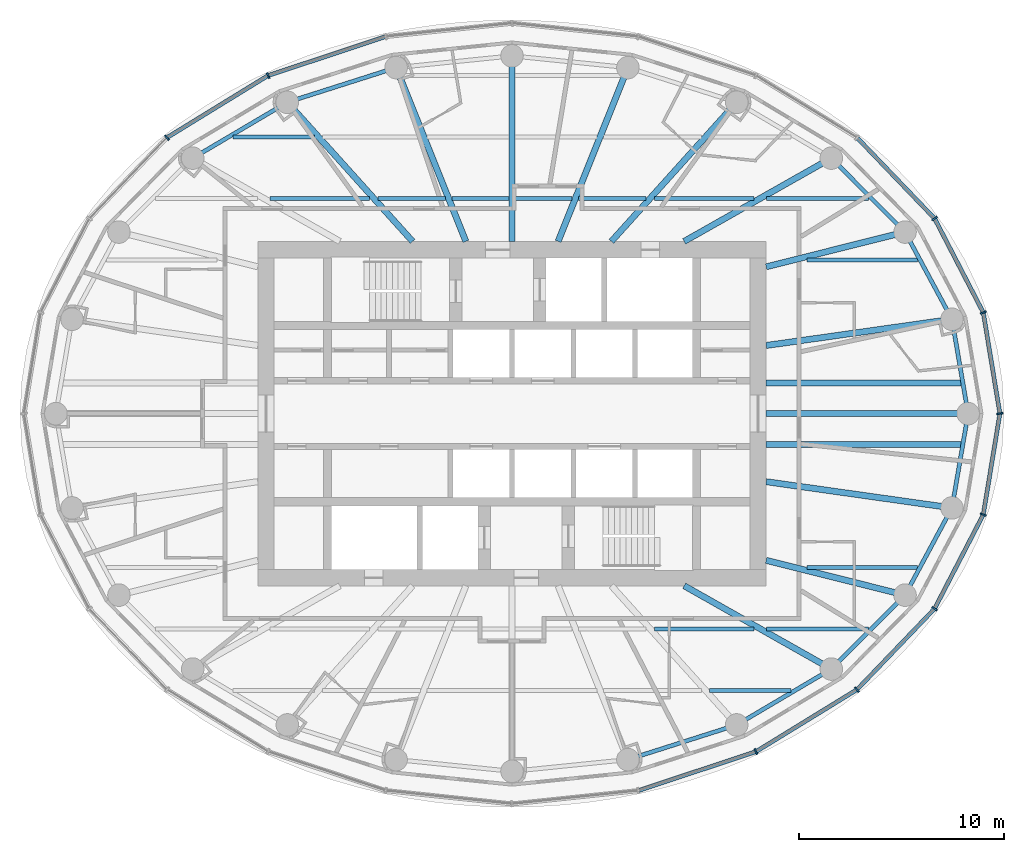
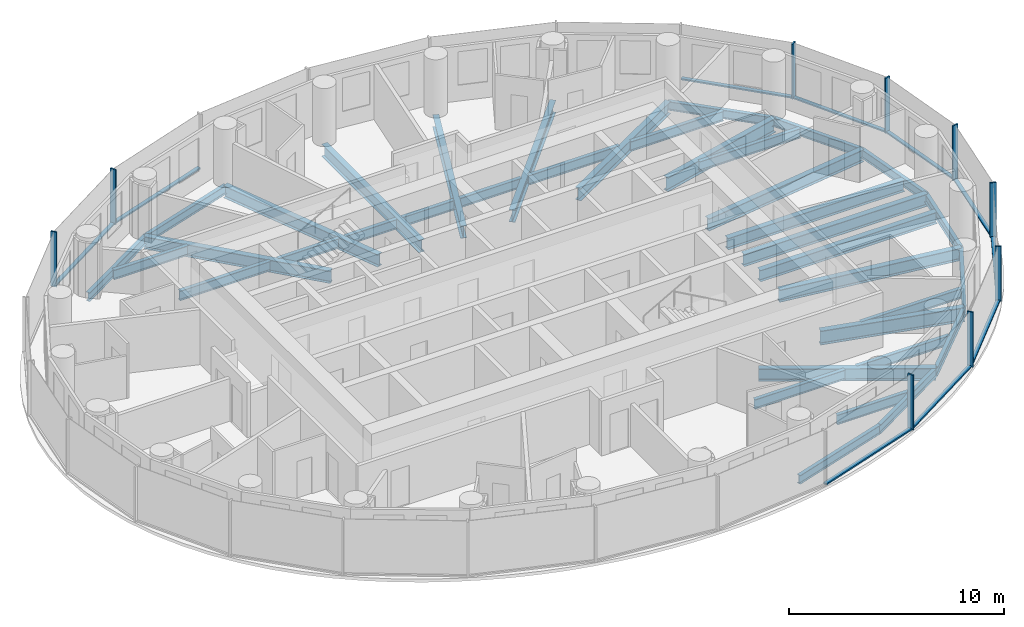
# One storey, part 3 of 13: 37 beams, 19 members, 3 elements without a shape of their own.
"""IFC4 building model written with IfcOpenShell, lengths in metres."""

from ifc_helpers import new_model, si_unit, direction, frame, origin, origin_2d, place, context, subcontext, project, spatial, rectangle, i_section, extrude, material, material_profile, profile_set, type_object, element, aggregate, save


model = new_model("IFC4")

# Units and contexts
model_context = context("Model", 3, precision=1e-05, world=origin(), true_north=direction((0.0, 1.0)))
body_context = subcontext(model_context, "Body", "Model", "MODEL_VIEW")
ifc_project = project(units=[si_unit("LENGTHUNIT", "METRE"), si_unit("AREAUNIT", "SQUARE_METRE"), si_unit("VOLUMEUNIT", "CUBIC_METRE"), si_unit("PLANEANGLEUNIT", "RADIAN"), si_unit("MASSUNIT", "GRAM", prefix="KILO")], contexts=[model_context])

# Site, building, storey
site_placement = place(None, origin())
site = spatial("IfcSite", under=ifc_project, at=site_placement, CompositionType="ELEMENT")
building_placement = place(site_placement, origin())
building = spatial("IfcBuilding", under=site, at=building_placement, Name="Hankou Lantern Tower", CompositionType="ELEMENT")
storey_placement = place(building_placement, frame((0.0, 0.0, 156.60009765625)))
storey = spatial("IfcBuildingStorey", under=building, at=storey_placement, Name="L41", CompositionType="ELEMENT", Elevation=156.60009765625)

# Beams
ifc_material_1 = material(Name="Steel Q355B", Category="steel")
ifc_material_profile_1 = material_profile(ifc_material_1, i_section(OverallWidth=0.199951171875, OverallDepth=0.5, WebThickness=0.010009765625, FlangeThickness=0.01611328125, FilletRadius=0.012939453125, at=origin_2d()), Name="HN500x200x10x16")
ifc_profile_set_1 = profile_set([ifc_material_profile_1], Name="Steel Q355B")
beam_type_1 = type_object("IfcBeamType", Name="EB5 RING BEAM HN500x200x10x16", PredefinedType="SPANDREL", material=ifc_profile_set_1)
beam_1_placement = place(storey_placement, frame((22.25, 0.0, -0.43017578125), z_axis=(-0.168680718946, 0.985670743735, 0.0), x_axis=(-0.985670743735, -0.168680718946, 0.0)))
element("IfcBeam", 1, at=beam_1_placement, inside=storey, type_object=beam_type_1, Name="Ring beam R01-R02 L41", PredefinedType="SPANDREL", context=body_context, shape_type="SweptSolid", body=[
    extrude(i_section(OverallWidth=0.199951171875, OverallDepth=0.5, WebThickness=0.010009765625, FlangeThickness=0.01611328125, FilletRadius=0.012939453125, at=origin_2d()), origin(), (0.0, 0.0, 1.0), 4.667724609375),
])
beam_2_placement = place(storey_placement, frame((21.462646484375, 4.600830078125, -0.43017578125), z_axis=(-0.474051612334, 0.880497057828, 0.0), x_axis=(-0.880497057828, -0.474051612334, 0.0)))
element("IfcBeam", 2, at=beam_2_placement, inside=storey, type_object=beam_type_1, Name="Ring beam R02-R03 L41", PredefinedType="SPANDREL", context=body_context, shape_type="SweptSolid", body=[
    extrude(i_section(OverallWidth=0.199951171875, OverallDepth=0.5, WebThickness=0.010009765625, FlangeThickness=0.01611328125, FilletRadius=0.012939453125, at=origin_2d()), origin(), (0.0, 0.0, 1.0), 4.831787109375),
])
beam_3_placement = place(storey_placement, frame((19.172119140625, 8.855224609375, -0.43017578125), z_axis=(-0.706147278092, 0.708064984054, 0.0), x_axis=(-0.708064984054, -0.706147278092, 0.0)))
element("IfcBeam", 3, at=beam_3_placement, inside=storey, type_object=beam_type_1, Name="Ring beam R03-R04 L41", PredefinedType="SPANDREL", context=body_context, shape_type="SweptSolid", body=[
    extrude(i_section(OverallWidth=0.199951171875, OverallDepth=0.5, WebThickness=0.010009765625, FlangeThickness=0.01611328125, FilletRadius=0.012939453125, at=origin_2d()), origin(), (0.0, 0.0, 1.0), 5.09228515625),
])
beam_4_placement = place(storey_placement, frame((-5.65283203125, 16.87744140625, -0.43017578125), z_axis=(-0.952790404271, -0.30362879562, 0.0), x_axis=(0.30362879562, -0.952790404271, 0.0)))
element("IfcBeam", 4, at=beam_4_placement, inside=storey, type_object=beam_type_1, Name="Ring beam R08-R09 L41", PredefinedType="SPANDREL", context=body_context, shape_type="SweptSolid", body=[
    extrude(i_section(OverallWidth=0.199951171875, OverallDepth=0.5, WebThickness=0.010009765625, FlangeThickness=0.01611328125, FilletRadius=0.012939453125, at=origin_2d()), origin(), (0.0, 0.0, 1.0), 5.56982421875),
])
beam_5_placement = place(storey_placement, frame((-10.959716796875, 15.186279296875, -0.43017578125), z_axis=(-0.861135888339, -0.508374843806, 0.0), x_axis=(0.508374843806, -0.861135888339, 0.0)))
element("IfcBeam", 5, at=beam_5_placement, inside=storey, type_object=beam_type_1, Name="Ring beam R09-R10 L41", PredefinedType="SPANDREL", context=body_context, shape_type="SweptSolid", body=[
    extrude(i_section(OverallWidth=0.199951171875, OverallDepth=0.5, WebThickness=0.010009765625, FlangeThickness=0.01611328125, FilletRadius=0.012939453125, at=origin_2d()), origin(), (0.0, 0.0, 1.0), 5.36083984375),
])
beam_6_placement = place(storey_placement, frame((5.65283203125, -16.87744140625, -0.43017578125), z_axis=(0.952790404271, 0.30362879562, 0.0), x_axis=(-0.30362879562, 0.952790404271, 0.0)))
element("IfcBeam", 6, at=beam_6_placement, inside=storey, type_object=beam_type_1, Name="Ring beam R20-R21 L41", PredefinedType="SPANDREL", context=body_context, shape_type="SweptSolid", body=[
    extrude(i_section(OverallWidth=0.199951171875, OverallDepth=0.5, WebThickness=0.010009765625, FlangeThickness=0.01611328125, FilletRadius=0.012939453125, at=origin_2d()), origin(), (0.0, 0.0, 1.0), 5.56982421875),
])
beam_7_placement = place(storey_placement, frame((10.959716796875, -15.186279296875, -0.43017578125), z_axis=(0.861135888339, 0.508374843806, 0.0), x_axis=(-0.508374843806, 0.861135888339, 0.0)))
element("IfcBeam", 7, at=beam_7_placement, inside=storey, type_object=beam_type_1, Name="Ring beam R21-R22 L41", PredefinedType="SPANDREL", context=body_context, shape_type="SweptSolid", body=[
    extrude(i_section(OverallWidth=0.199951171875, OverallDepth=0.5, WebThickness=0.010009765625, FlangeThickness=0.01611328125, FilletRadius=0.012939453125, at=origin_2d()), origin(), (0.0, 0.0, 1.0), 5.36083984375),
])
beam_8_placement = place(storey_placement, frame((15.576171875, -12.4609375, -0.43017578125), z_axis=(0.706147278092, 0.708064984054, 0.0), x_axis=(-0.708064984054, 0.706147278092, 0.0)))
element("IfcBeam", 8, at=beam_8_placement, inside=storey, type_object=beam_type_1, Name="Ring beam R22-R23 L41", PredefinedType="SPANDREL", context=body_context, shape_type="SweptSolid", body=[
    extrude(i_section(OverallWidth=0.199951171875, OverallDepth=0.5, WebThickness=0.010009765625, FlangeThickness=0.01611328125, FilletRadius=0.012939453125, at=origin_2d()), origin(), (0.0, 0.0, 1.0), 5.09228515625),
])
beam_9_placement = place(storey_placement, frame((19.172119140625, -8.855224609375, -0.43017578125), z_axis=(0.474051612334, 0.880497057828, 0.0), x_axis=(-0.880497057828, 0.474051612334, 0.0)))
element("IfcBeam", 9, at=beam_9_placement, inside=storey, type_object=beam_type_1, Name="Ring beam R23-R24 L41", PredefinedType="SPANDREL", context=body_context, shape_type="SweptSolid", body=[
    extrude(i_section(OverallWidth=0.199951171875, OverallDepth=0.5, WebThickness=0.010009765625, FlangeThickness=0.01611328125, FilletRadius=0.012939453125, at=origin_2d()), origin(), (0.0, 0.0, 1.0), 4.831787109375),
])
beam_10_placement = place(storey_placement, frame((21.462646484375, -4.600830078125, -0.43017578125), z_axis=(0.168680718946, 0.985670743735, 0.0), x_axis=(-0.985670743735, 0.168680718946, 0.0)))
element("IfcBeam", 10, at=beam_10_placement, inside=storey, type_object=beam_type_1, Name="Ring beam R24-R01 L41", PredefinedType="SPANDREL", context=body_context, shape_type="SweptSolid", body=[
    extrude(i_section(OverallWidth=0.199951171875, OverallDepth=0.5, WebThickness=0.010009765625, FlangeThickness=0.01611328125, FilletRadius=0.012939453125, at=origin_2d()), origin(), (0.0, 0.0, 1.0), 4.667724609375),
])

# Curtain wall, members
ifc_material_2 = material(Name="Glass, dark grey tinted laminated", Category="glass")
curtain_wall_type = type_object("IfcCurtainWallType", Name="CWC OUTER SKIN HIGH-RISE", PredefinedType="USERDEFINED", material=ifc_material_2)
curtain_wall_1_placement = place(storey_placement, origin())
curtain_wall_1 = element("IfcCurtainWall", 11, at=curtain_wall_1_placement, inside=storey, type_object=curtain_wall_type, Name="CWC L41 OS1", ObjectType="OUTER SKIN HIGH-RISE", PredefinedType="USERDEFINED")
ifc_material_3 = material(Name="Aluminium, black anodised", Category="aluminium")
ifc_material_profile_2 = material_profile(ifc_material_3, rectangle(XDim=0.080078125, YDim=0.300048828125, at=origin_2d()), Name="MU1 80X300")
ifc_profile_set_2 = profile_set([ifc_material_profile_2], Name="Aluminium, black anodised")
member_type_1 = type_object("IfcMemberType", Name="MU1 OUTER SKIN MULLION 80X300", PredefinedType="MULLION", material=ifc_profile_set_2)
member_1_placement = place(storey_placement, frame((23.800048828125, 0.0, 0.0), z_axis=(0.0, 0.0, 1.0), x_axis=(-0.162381515188, 0.986728049427, 0.0)))
member_1 = element("IfcMember", 12, at=member_1_placement, type_object=member_type_1, Name="CWC mullion 1", PredefinedType="MULLION", context=body_context, shape_type="SweptSolid", body=[
    extrude(rectangle(XDim=0.080078125, YDim=0.300048828125, at=origin_2d()), origin(), (0.0, 0.0, 1.0), 3.119873046875),
])
member_2_placement = place(storey_placement, frame((22.989013671875, 4.927978515625, 0.0), z_axis=(0.0, 0.0, 1.0), x_axis=(-0.317595577365, 0.94822626479, 0.0)))
member_2 = element("IfcMember", 13, at=member_2_placement, type_object=member_type_1, Name="CWC mullion 2", PredefinedType="MULLION", context=body_context, shape_type="SweptSolid", body=[
    extrude(rectangle(XDim=0.080078125, YDim=0.300048828125, at=origin_2d()), origin(), (0.0, 0.0, 1.0), 3.119873046875),
])
member_3_placement = place(storey_placement, frame((20.611328125, 9.52001953125, 0.0), z_axis=(0.0, 0.0, 1.0), x_axis=(-0.585205735974, 0.810884854084, 0.0)))
member_3 = element("IfcMember", 14, at=member_3_placement, type_object=member_type_1, Name="CWC mullion 3", PredefinedType="MULLION", context=body_context, shape_type="SweptSolid", body=[
    extrude(rectangle(XDim=0.080078125, YDim=0.300048828125, at=origin_2d()), origin(), (0.0, 0.0, 1.0), 3.119873046875),
])

curtain_wall_2_placement = place(storey_placement, origin())
curtain_wall_2 = element("IfcCurtainWall", 15, at=curtain_wall_2_placement, inside=storey, type_object=curtain_wall_type, Name="CWC L41 OS2", ObjectType="OUTER SKIN HIGH-RISE", PredefinedType="USERDEFINED")
member_4_placement = place(storey_placement, frame((-11.89990234375, 16.489013671875, 0.0), z_axis=(0.0, 0.0, 1.0), x_axis=(-0.907841299004, -0.419313934686, 0.0)))
member_4 = element("IfcMember", 16, at=member_4_placement, type_object=member_type_1, Name="CWC mullion 3", PredefinedType="MULLION", context=body_context, shape_type="SweptSolid", body=[
    extrude(rectangle(XDim=0.080078125, YDim=0.300048828125, at=origin_2d()), origin(), (0.0, 0.0, 1.0), 3.119873046875),
])
member_5_placement = place(storey_placement, frame((-16.8291015625, 13.46337890625, 0.0), z_axis=(0.0, 0.0, 1.0), x_axis=(-0.780868809444, -0.624695047553, 0.0)))
member_5 = element("IfcMember", 17, at=member_5_placement, type_object=member_type_1, Name="CWC mullion 4", PredefinedType="MULLION", context=body_context, shape_type="SweptSolid", body=[
    extrude(rectangle(XDim=0.080078125, YDim=0.300048828125, at=origin_2d()), origin(), (0.0, 0.0, 1.0), 3.119873046875),
])

curtain_wall_3_placement = place(storey_placement, origin())
curtain_wall_3 = element("IfcCurtainWall", 18, at=curtain_wall_3_placement, inside=storey, type_object=curtain_wall_type, Name="CWC L41 OS4", ObjectType="OUTER SKIN HIGH-RISE", PredefinedType="USERDEFINED")
member_6_placement = place(storey_placement, frame((11.89990234375, -16.489013671875, 0.0), z_axis=(0.0, 0.0, 1.0), x_axis=(0.907841299004, 0.419313934686, 0.0)))
member_6 = element("IfcMember", 19, at=member_6_placement, type_object=member_type_1, Name="CWC mullion 3", PredefinedType="MULLION", context=body_context, shape_type="SweptSolid", body=[
    extrude(rectangle(XDim=0.080078125, YDim=0.300048828125, at=origin_2d()), origin(), (0.0, 0.0, 1.0), 3.119873046875),
])
member_7_placement = place(storey_placement, frame((16.8291015625, -13.46337890625, 0.0), z_axis=(0.0, 0.0, 1.0), x_axis=(0.780868809444, 0.624695047553, 0.0)))
member_7 = element("IfcMember", 20, at=member_7_placement, type_object=member_type_1, Name="CWC mullion 4", PredefinedType="MULLION", context=body_context, shape_type="SweptSolid", body=[
    extrude(rectangle(XDim=0.080078125, YDim=0.300048828125, at=origin_2d()), origin(), (0.0, 0.0, 1.0), 3.119873046875),
])
member_8_placement = place(storey_placement, frame((20.611328125, -9.52001953125, 0.0), z_axis=(0.0, 0.0, 1.0), x_axis=(0.585205735974, 0.810884854084, 0.0)))
member_8 = element("IfcMember", 21, at=member_8_placement, type_object=member_type_1, Name="CWC mullion 5", PredefinedType="MULLION", context=body_context, shape_type="SweptSolid", body=[
    extrude(rectangle(XDim=0.080078125, YDim=0.300048828125, at=origin_2d()), origin(), (0.0, 0.0, 1.0), 3.119873046875),
])
member_9_placement = place(storey_placement, frame((22.989013671875, -4.927978515625, 0.0), z_axis=(0.0, 0.0, 1.0), x_axis=(0.317595577365, 0.94822626479, 0.0)))
member_9 = element("IfcMember", 22, at=member_9_placement, type_object=member_type_1, Name="CWC mullion 6", PredefinedType="MULLION", context=body_context, shape_type="SweptSolid", body=[
    extrude(rectangle(XDim=0.080078125, YDim=0.300048828125, at=origin_2d()), origin(), (0.0, 0.0, 1.0), 3.119873046875),
])

# Beams
ifc_material_4 = material(Name="Steel Q355B", Category="steel")
ifc_material_profile_3 = material_profile(ifc_material_4, i_section(OverallWidth=0.300048828125, OverallDepth=0.800048828125, WebThickness=0.013916015625, FlangeThickness=0.02587890625, FilletRadius=0.01806640625, at=origin_2d()), Name="HN800x300x14x26")
ifc_profile_set_3 = profile_set([ifc_material_profile_3], Name="Steel Q355B")
beam_type_2 = type_object("IfcBeamType", Name="RB11 RADIAL BEAM HN800x300x14x26", PredefinedType="BEAM", material=ifc_profile_set_3)
for number, where, z_axis, x_axis, name in (
    (23, (12.39990234375, 7.1591796875, -0.580078125), (0.970041619568, 0.242938791274, 0.0), (-0.242938791274, 0.970041619568, 0.0), "Radial beam R03 L41"),
    (24, (12.39990234375, -7.1591796875, -0.580078125), (0.970041619568, -0.242938791274, 0.0), (0.242938791274, 0.970041619568, 0.0), "Radial beam R23 L41"),
):
    element("IfcBeam", number, at=place(storey_placement, frame(where, z_axis=z_axis, x_axis=x_axis)), inside=storey, type_object=beam_type_2, Name=name, PredefinedType="BEAM", context=body_context, shape_type="SweptSolid", body=[
        extrude(i_section(OverallWidth=0.300048828125, OverallDepth=0.800048828125, WebThickness=0.013916015625, FlangeThickness=0.02587890625, FilletRadius=0.01806640625, at=origin_2d()), origin(), (0.0, 0.0, 1.0), 6.9814453125),
    ])
ifc_material_5 = material(Name="Steel Q355B", Category="steel")
ifc_material_profile_4 = material_profile(ifc_material_5, i_section(OverallWidth=0.300048828125, OverallDepth=0.699951171875, WebThickness=0.012939453125, FlangeThickness=0.02392578125, FilletRadius=0.01806640625, at=origin_2d()), Name="HN700x300x13x24")
ifc_profile_set_4 = profile_set([ifc_material_profile_4], Name="Steel Q355B")
beam_type_3 = type_object("IfcBeamType", Name="RB9 RADIAL BEAM HN700x300x13x24", PredefinedType="BEAM", material=ifc_profile_set_4)
beam_11_placement = place(storey_placement, frame((12.39990234375, 0.0, -0.530029296875), z_axis=(1.0, 0.0, 0.0), x_axis=(0.0, 1.0, 0.0)))
element("IfcBeam", 25, at=beam_11_placement, inside=storey, type_object=beam_type_3, Name="Radial beam R01 L41", PredefinedType="BEAM", context=body_context, shape_type="SweptSolid", body=[
    extrude(i_section(OverallWidth=0.300048828125, OverallDepth=0.699951171875, WebThickness=0.012939453125, FlangeThickness=0.02392578125, FilletRadius=0.01806640625, at=origin_2d()), origin(), (0.0, 0.0, 1.0), 9.85009765625),
])
beam_12_placement = place(storey_placement, frame((12.39990234375, 3.322509765625, -0.530029296875), z_axis=(0.990198154617, 0.13966966239, 0.0), x_axis=(-0.13966966239, 0.990198154617, 0.0)))
element("IfcBeam", 26, at=beam_12_placement, inside=storey, type_object=beam_type_3, Name="Radial beam R02 L41", PredefinedType="BEAM", context=body_context, shape_type="SweptSolid", body=[
    extrude(i_section(OverallWidth=0.300048828125, OverallDepth=0.699951171875, WebThickness=0.012939453125, FlangeThickness=0.02392578125, FilletRadius=0.01806640625, at=origin_2d()), origin(), (0.0, 0.0, 1.0), 9.15234375),
])
beam_13_placement = place(storey_placement, frame((8.39990234375, 8.39990234375, -0.530029296875), z_axis=(0.870309058024, 0.492505983234, 0.0), x_axis=(-0.492505983234, 0.870309058024, 0.0)))
element("IfcBeam", 27, at=beam_13_placement, inside=storey, type_object=beam_type_3, Name="Radial beam R04 L41", PredefinedType="BEAM", context=body_context, shape_type="SweptSolid", body=[
    extrude(i_section(OverallWidth=0.300048828125, OverallDepth=0.699951171875, WebThickness=0.012939453125, FlangeThickness=0.02392578125, FilletRadius=0.01806640625, at=origin_2d()), origin(), (0.0, 0.0, 1.0), 8.24560546875),
])
beam_14_placement = place(storey_placement, frame((4.849853515625, 8.39990234375, -0.530029296875), z_axis=(0.669093231314, 0.743178476418, 0.0), x_axis=(-0.743178476418, 0.669093231314, 0.0)))
element("IfcBeam", 28, at=beam_14_placement, inside=storey, type_object=beam_type_3, Name="Radial beam R05 L41", PredefinedType="BEAM", context=body_context, shape_type="SweptSolid", body=[
    extrude(i_section(OverallWidth=0.300048828125, OverallDepth=0.699951171875, WebThickness=0.012939453125, FlangeThickness=0.02392578125, FilletRadius=0.01806640625, at=origin_2d()), origin(), (0.0, 0.0, 1.0), 9.131591796875),
])
beam_15_placement = place(storey_placement, frame((2.250732421875, 8.39990234375, -0.530029296875), z_axis=(0.372436468133, 0.928057690666, 0.0), x_axis=(-0.928057690666, 0.372436468133, 0.0)))
element("IfcBeam", 29, at=beam_15_placement, inside=storey, type_object=beam_type_3, Name="Radial beam R06 L41", PredefinedType="BEAM", context=body_context, shape_type="SweptSolid", body=[
    extrude(i_section(OverallWidth=0.300048828125, OverallDepth=0.699951171875, WebThickness=0.012939453125, FlangeThickness=0.02392578125, FilletRadius=0.01806640625, at=origin_2d()), origin(), (0.0, 0.0, 1.0), 9.134765625),
])
beam_16_placement = place(storey_placement, frame((0.0, 8.39990234375, -0.530029296875), z_axis=(0.0, 1.0, 0.0), x_axis=(-1.0, 0.0, 0.0)))
element("IfcBeam", 30, at=beam_16_placement, inside=storey, type_object=beam_type_3, Name="Radial beam R07 L41", PredefinedType="BEAM", context=body_context, shape_type="SweptSolid", body=[
    extrude(i_section(OverallWidth=0.300048828125, OverallDepth=0.699951171875, WebThickness=0.012939453125, FlangeThickness=0.02392578125, FilletRadius=0.01806640625, at=origin_2d()), origin(), (0.0, 0.0, 1.0), 9.050048828125),
])
beam_17_placement = place(storey_placement, frame((-2.250732421875, 8.39990234375, -0.530029296875), z_axis=(-0.372436468133, 0.928057690666, 0.0), x_axis=(-0.928057690666, -0.372436468133, 0.0)))
element("IfcBeam", 31, at=beam_17_placement, inside=storey, type_object=beam_type_3, Name="Radial beam R08 L41", PredefinedType="BEAM", context=body_context, shape_type="SweptSolid", body=[
    extrude(i_section(OverallWidth=0.300048828125, OverallDepth=0.699951171875, WebThickness=0.012939453125, FlangeThickness=0.02392578125, FilletRadius=0.01806640625, at=origin_2d()), origin(), (0.0, 0.0, 1.0), 9.134765625),
])
beam_18_placement = place(storey_placement, frame((-4.849853515625, 8.39990234375, -0.530029296875), z_axis=(-0.669093231314, 0.743178476418, 0.0), x_axis=(-0.743178476418, -0.669093231314, 0.0)))
element("IfcBeam", 32, at=beam_18_placement, inside=storey, type_object=beam_type_3, Name="Radial beam R09 L41", PredefinedType="BEAM", context=body_context, shape_type="SweptSolid", body=[
    extrude(i_section(OverallWidth=0.300048828125, OverallDepth=0.699951171875, WebThickness=0.012939453125, FlangeThickness=0.02392578125, FilletRadius=0.01806640625, at=origin_2d()), origin(), (0.0, 0.0, 1.0), 9.131591796875),
])
beam_19_placement = place(storey_placement, frame((8.39990234375, -8.39990234375, -0.530029296875), z_axis=(0.870309058024, -0.492505983234, 0.0), x_axis=(0.492505983234, 0.870309058024, 0.0)))
element("IfcBeam", 33, at=beam_19_placement, inside=storey, type_object=beam_type_3, Name="Radial beam R22 L41", PredefinedType="BEAM", context=body_context, shape_type="SweptSolid", body=[
    extrude(i_section(OverallWidth=0.300048828125, OverallDepth=0.699951171875, WebThickness=0.012939453125, FlangeThickness=0.02392578125, FilletRadius=0.01806640625, at=origin_2d()), origin(), (0.0, 0.0, 1.0), 8.24560546875),
])
beam_20_placement = place(storey_placement, frame((12.39990234375, -3.322509765625, -0.530029296875), z_axis=(0.990198154617, -0.13966966239, 0.0), x_axis=(0.13966966239, 0.990198154617, 0.0)))
element("IfcBeam", 34, at=beam_20_placement, inside=storey, type_object=beam_type_3, Name="Radial beam R24 L41", PredefinedType="BEAM", context=body_context, shape_type="SweptSolid", body=[
    extrude(i_section(OverallWidth=0.300048828125, OverallDepth=0.699951171875, WebThickness=0.012939453125, FlangeThickness=0.02392578125, FilletRadius=0.01806640625, at=origin_2d()), origin(), (0.0, 0.0, 1.0), 9.15234375),
])
ifc_material_6 = material(Name="Steel Q355B", Category="steel")
ifc_material_profile_5 = material_profile(ifc_material_6, i_section(OverallWidth=0.199951171875, OverallDepth=0.550048828125, WebThickness=0.010009765625, FlangeThickness=0.01611328125, FilletRadius=0.012939453125, at=origin_2d()), Name="HN550x200x10x16")
ifc_profile_set_5 = profile_set([ifc_material_profile_5], Name="Steel Q355B")
beam_type_4 = type_object("IfcBeamType", Name="SB6 SECONDARY BEAM HN550x200x10x16", PredefinedType="JOIST", material=ifc_profile_set_5)
beam_21_placement = place(storey_placement, frame((9.643310546875, -13.5, -0.455078125), z_axis=(1.0, 0.0, 0.0), x_axis=(0.0, 1.0, 0.0)))
element("IfcBeam", 35, at=beam_21_placement, inside=storey, type_object=beam_type_4, Name="Floor joist J006 L41", PredefinedType="JOIST", context=body_context, shape_type="SweptSolid", body=[
    extrude(i_section(OverallWidth=0.199951171875, OverallDepth=0.550048828125, WebThickness=0.010009765625, FlangeThickness=0.01611328125, FilletRadius=0.012939453125, at=origin_2d()), origin(), (0.0, 0.0, 1.0), 3.97607421875),
])
beam_22_placement = place(storey_placement, frame((6.9423828125, -10.5, -0.455078125), z_axis=(1.0, 0.0, 0.0), x_axis=(0.0, 1.0, 0.0)))
element("IfcBeam", 36, at=beam_22_placement, inside=storey, type_object=beam_type_4, Name="Floor joist J013 L41", PredefinedType="JOIST", context=body_context, shape_type="SweptSolid", body=[
    extrude(i_section(OverallWidth=0.199951171875, OverallDepth=0.550048828125, WebThickness=0.010009765625, FlangeThickness=0.01611328125, FilletRadius=0.012939453125, at=origin_2d()), origin(), (0.0, 0.0, 1.0), 4.864013671875),
])
beam_23_placement = place(storey_placement, frame((12.41552734375, -10.5, -0.455078125), z_axis=(1.0, 0.0, 0.0), x_axis=(0.0, 1.0, 0.0)))
element("IfcBeam", 37, at=beam_23_placement, inside=storey, type_object=beam_type_4, Name="Floor joist J014 L41", PredefinedType="JOIST", context=body_context, shape_type="SweptSolid", body=[
    extrude(i_section(OverallWidth=0.199951171875, OverallDepth=0.550048828125, WebThickness=0.010009765625, FlangeThickness=0.01611328125, FilletRadius=0.012939453125, at=origin_2d()), origin(), (0.0, 0.0, 1.0), 4.97509765625),
])
for number, where, z_axis, x_axis, name in (
    (38, (14.37841796875, -7.5, -0.455078125), (1.0, 0.0, 0.0), (0.0, 1.0, 0.0), "Floor joist J016 L41"),
    (39, (14.37841796875, 7.5, -0.455078125), (1.0, 0.0, 0.0), (0.0, 1.0, 0.0), "Floor joist J026 L41"),
):
    element("IfcBeam", number, at=place(storey_placement, frame(where, z_axis=z_axis, x_axis=x_axis)), inside=storey, type_object=beam_type_4, Name=name, PredefinedType="JOIST", context=body_context, shape_type="SweptSolid", body=[
        extrude(i_section(OverallWidth=0.199951171875, OverallDepth=0.550048828125, WebThickness=0.010009765625, FlangeThickness=0.01611328125, FilletRadius=0.012939453125, at=origin_2d()), origin(), (0.0, 0.0, 1.0), 5.409912109375),
    ])
beam_24_placement = place(storey_placement, frame((-11.806396484375, 10.5, -0.455078125), z_axis=(1.0, 0.0, 0.0), x_axis=(0.0, 1.0, 0.0)))
element("IfcBeam", 40, at=beam_24_placement, inside=storey, type_object=beam_type_4, Name="Floor joist J028 L41", PredefinedType="JOIST", context=body_context, shape_type="SweptSolid", body=[
    extrude(i_section(OverallWidth=0.199951171875, OverallDepth=0.550048828125, WebThickness=0.010009765625, FlangeThickness=0.01611328125, FilletRadius=0.012939453125, at=origin_2d()), origin(), (0.0, 0.0, 1.0), 4.864013671875),
])
beam_25_placement = place(storey_placement, frame((-6.53857421875, 10.5, -0.455078125), z_axis=(1.0, 0.0, 0.0), x_axis=(0.0, 1.0, 0.0)))
element("IfcBeam", 41, at=beam_25_placement, inside=storey, type_object=beam_type_4, Name="Floor joist J029 L41", PredefinedType="JOIST", context=body_context, shape_type="SweptSolid", body=[
    extrude(i_section(OverallWidth=0.199951171875, OverallDepth=0.550048828125, WebThickness=0.010009765625, FlangeThickness=0.01611328125, FilletRadius=0.012939453125, at=origin_2d()), origin(), (0.0, 0.0, 1.0), 3.283447265625),
])
for number, where, z_axis, x_axis, name in (
    (42, (-2.931884765625, 10.5, -0.455078125), (1.0, 0.0, 0.0), (0.0, 1.0, 0.0), "Floor joist J030 L41"),
    (43, (0.14990234375, 10.5, -0.455078125), (1.0, 0.0, 0.0), (0.0, 1.0, 0.0), "Floor joist J031 L41"),
):
    element("IfcBeam", number, at=place(storey_placement, frame(where, z_axis=z_axis, x_axis=x_axis)), inside=storey, type_object=beam_type_4, Name=name, PredefinedType="JOIST", context=body_context, shape_type="SweptSolid", body=[
        extrude(i_section(OverallWidth=0.199951171875, OverallDepth=0.550048828125, WebThickness=0.010009765625, FlangeThickness=0.01611328125, FilletRadius=0.012939453125, at=origin_2d()), origin(), (0.0, 0.0, 1.0), 2.781982421875),
    ])
beam_26_placement = place(storey_placement, frame((3.255126953125, 10.5, -0.455078125), z_axis=(1.0, 0.0, 0.0), x_axis=(0.0, 1.0, 0.0)))
element("IfcBeam", 44, at=beam_26_placement, inside=storey, type_object=beam_type_4, Name="Floor joist J032 L41", PredefinedType="JOIST", context=body_context, shape_type="SweptSolid", body=[
    extrude(i_section(OverallWidth=0.199951171875, OverallDepth=0.550048828125, WebThickness=0.010009765625, FlangeThickness=0.01611328125, FilletRadius=0.012939453125, at=origin_2d()), origin(), (0.0, 0.0, 1.0), 3.283447265625),
])
beam_27_placement = place(storey_placement, frame((6.9423828125, 10.5, -0.455078125), z_axis=(1.0, 0.0, 0.0), x_axis=(0.0, 1.0, 0.0)))
element("IfcBeam", 45, at=beam_27_placement, inside=storey, type_object=beam_type_4, Name="Floor joist J033 L41", PredefinedType="JOIST", context=body_context, shape_type="SweptSolid", body=[
    extrude(i_section(OverallWidth=0.199951171875, OverallDepth=0.550048828125, WebThickness=0.010009765625, FlangeThickness=0.01611328125, FilletRadius=0.012939453125, at=origin_2d()), origin(), (0.0, 0.0, 1.0), 4.864013671875),
])
beam_28_placement = place(storey_placement, frame((12.41552734375, 10.5, -0.455078125), z_axis=(1.0, 0.0, 0.0), x_axis=(0.0, 1.0, 0.0)))
element("IfcBeam", 46, at=beam_28_placement, inside=storey, type_object=beam_type_4, Name="Floor joist J034 L41", PredefinedType="JOIST", context=body_context, shape_type="SweptSolid", body=[
    extrude(i_section(OverallWidth=0.199951171875, OverallDepth=0.550048828125, WebThickness=0.010009765625, FlangeThickness=0.01611328125, FilletRadius=0.012939453125, at=origin_2d()), origin(), (0.0, 0.0, 1.0), 4.97509765625),
])
beam_29_placement = place(storey_placement, frame((-13.619384765625, 13.5, -0.455078125), z_axis=(1.0, 0.0, 0.0), x_axis=(0.0, 1.0, 0.0)))
element("IfcBeam", 47, at=beam_29_placement, inside=storey, type_object=beam_type_4, Name="Floor joist J035 L41", PredefinedType="JOIST", context=body_context, shape_type="SweptSolid", body=[
    extrude(i_section(OverallWidth=0.199951171875, OverallDepth=0.550048828125, WebThickness=0.010009765625, FlangeThickness=0.01611328125, FilletRadius=0.012939453125, at=origin_2d()), origin(), (0.0, 0.0, 1.0), 3.97607421875),
])
ifc_material_7 = material(Name="Steel Q355B", Category="steel")
ifc_material_profile_6 = material_profile(ifc_material_7, i_section(OverallWidth=0.300048828125, OverallDepth=0.64990234375, WebThickness=0.010986328125, FlangeThickness=0.01708984375, FilletRadius=0.01806640625, at=origin_2d()), Name="HN650x300x11x17")
ifc_profile_set_6 = profile_set([ifc_material_profile_6], Name="Steel Q355B")
beam_type_5 = type_object("IfcBeamType", Name="SB8 SECONDARY BEAM HN650x300x11x17", PredefinedType="JOIST", material=ifc_profile_set_6)
for number, where, z_axis, x_axis, name in (
    (48, (12.39990234375, -1.5, -0.505126953125), (1.0, 0.0, 0.0), (0.0, 1.0, 0.0), "Floor joist J020 L41"),
    (49, (12.39990234375, 1.5, -0.505126953125), (1.0, 0.0, 0.0), (0.0, 1.0, 0.0), "Floor joist J022 L41"),
):
    element("IfcBeam", number, at=place(storey_placement, frame(where, z_axis=z_axis, x_axis=x_axis)), inside=storey, type_object=beam_type_5, Name=name, PredefinedType="JOIST", context=body_context, shape_type="SweptSolid", body=[
        extrude(i_section(OverallWidth=0.300048828125, OverallDepth=0.64990234375, WebThickness=0.010986328125, FlangeThickness=0.01708984375, FilletRadius=0.01806640625, at=origin_2d()), origin(), (0.0, 0.0, 1.0), 9.491943359375),
    ])

# Member
ifc_material_8 = material(Name="Aluminium, black anodised", Category="aluminium")
ifc_material_profile_7 = material_profile(ifc_material_8, rectangle(XDim=0.199951171875, YDim=0.080078125, at=origin_2d()), Name="TR1 200X80")
ifc_profile_set_7 = profile_set([ifc_material_profile_7], Name="Aluminium, black anodised")
member_type_2 = type_object("IfcMemberType", Name="TR1 OUTER SKIN TRANSOM 200X80", PredefinedType="USERDEFINED", material=ifc_profile_set_7)
member_10_placement = place(storey_placement, frame((23.79345703125, 0.03955078125, 0.039794921875), z_axis=(-0.162360337061, 0.986731534385, 0.0), x_axis=(-0.986731534385, -0.162360337061, 0.0)))
member_10 = element("IfcMember", 50, at=member_10_placement, type_object=member_type_2, Name="CWC transom 1", ObjectType="TRANSOM", PredefinedType="USERDEFINED", context=body_context, shape_type="SweptSolid", body=[
    extrude(rectangle(XDim=0.199951171875, YDim=0.080078125, at=origin_2d()), origin(), (0.0, 0.0, 1.0), 4.9140625),
])

member_11_placement = place(storey_placement, frame((22.970703125, 4.96337890625, 0.039794921875), z_axis=(-0.459790772977, 0.888027277219, 0.0), x_axis=(-0.888027277219, -0.459790772977, 0.0)))
member_11 = element("IfcMember", 51, at=member_11_placement, type_object=member_type_2, Name="CWC transom 2", ObjectType="TRANSOM", PredefinedType="USERDEFINED", context=body_context, shape_type="SweptSolid", body=[
    extrude(rectangle(XDim=0.199951171875, YDim=0.080078125, at=origin_2d()), origin(), (0.0, 0.0, 1.0), 5.091064453125),
])

member_12_placement = place(storey_placement, frame((20.583740234375, 9.548828125, 0.039794921875), z_axis=(-0.692215543831, 0.721690820836, 0.0), x_axis=(-0.721690820836, -0.692215543831, 0.0)))
member_12 = element("IfcMember", 52, at=member_12_placement, type_object=member_type_2, Name="CWC transom 3", ObjectType="TRANSOM", PredefinedType="USERDEFINED", context=body_context, shape_type="SweptSolid", body=[
    extrude(rectangle(XDim=0.199951171875, YDim=0.080078125, at=origin_2d()), origin(), (0.0, 0.0, 1.0), 5.3837890625),
])

aggregate(curtain_wall_1, [member_1, member_2, member_3, member_10, member_11, member_12])

member_13_placement = place(storey_placement, frame((-6.19775390625, 18.378662109375, 0.039794921875), z_axis=(-0.949242327551, -0.314545709849, 0.0), x_axis=(0.314545709849, -0.949242327551, 0.0)))
member_13 = element("IfcMember", 53, at=member_13_placement, type_object=member_type_2, Name="CWC transom 2", ObjectType="TRANSOM", PredefinedType="USERDEFINED", context=body_context, shape_type="SweptSolid", body=[
    extrude(rectangle(XDim=0.199951171875, YDim=0.080078125, at=origin_2d()), origin(), (0.0, 0.0, 1.0), 5.96728515625),
])

member_14_placement = place(storey_placement, frame((-11.93408203125, 16.46826171875, 0.039794921875), z_axis=(-0.852229482357, -0.523168146394, 0.0), x_axis=(0.523168146394, -0.852229482357, 0.0)))
member_14 = element("IfcMember", 54, at=member_14_placement, type_object=member_type_2, Name="CWC transom 3", ObjectType="TRANSOM", PredefinedType="USERDEFINED", context=body_context, shape_type="SweptSolid", body=[
    extrude(rectangle(XDim=0.199951171875, YDim=0.080078125, at=origin_2d()), origin(), (0.0, 0.0, 1.0), 5.703857421875),
])

aggregate(curtain_wall_2, [member_4, member_5, member_13, member_14])

member_15_placement = place(storey_placement, frame((6.19775390625, -18.378662109375, 0.039794921875), z_axis=(0.949242327551, 0.314545709849, 0.0), x_axis=(-0.314545709849, 0.949242327551, 0.0)))
member_15 = element("IfcMember", 55, at=member_15_placement, type_object=member_type_2, Name="CWC transom 2", ObjectType="TRANSOM", PredefinedType="USERDEFINED", context=body_context, shape_type="SweptSolid", body=[
    extrude(rectangle(XDim=0.199951171875, YDim=0.080078125, at=origin_2d()), origin(), (0.0, 0.0, 1.0), 5.96728515625),
])

member_16_placement = place(storey_placement, frame((11.93408203125, -16.46826171875, 0.039794921875), z_axis=(0.852229482357, 0.523168146394, 0.0), x_axis=(-0.523168146394, 0.852229482357, 0.0)))
member_16 = element("IfcMember", 56, at=member_16_placement, type_object=member_type_2, Name="CWC transom 3", ObjectType="TRANSOM", PredefinedType="USERDEFINED", context=body_context, shape_type="SweptSolid", body=[
    extrude(rectangle(XDim=0.199951171875, YDim=0.080078125, at=origin_2d()), origin(), (0.0, 0.0, 1.0), 5.703857421875),
])

member_17_placement = place(storey_placement, frame((16.85693359375, -13.434326171875, 0.039794921875), z_axis=(0.692215543831, 0.721690820836, 0.0), x_axis=(-0.721690820836, 0.692215543831, 0.0)))
member_17 = element("IfcMember", 57, at=member_17_placement, type_object=member_type_2, Name="CWC transom 4", ObjectType="TRANSOM", PredefinedType="USERDEFINED", context=body_context, shape_type="SweptSolid", body=[
    extrude(rectangle(XDim=0.199951171875, YDim=0.080078125, at=origin_2d()), origin(), (0.0, 0.0, 1.0), 5.3837890625),
])

member_18_placement = place(storey_placement, frame((20.6298828125, -9.484375, 0.039794921875), z_axis=(0.459790772977, 0.888027277219, 0.0), x_axis=(-0.888027277219, 0.459790772977, 0.0)))
member_18 = element("IfcMember", 58, at=member_18_placement, type_object=member_type_2, Name="CWC transom 5", ObjectType="TRANSOM", PredefinedType="USERDEFINED", context=body_context, shape_type="SweptSolid", body=[
    extrude(rectangle(XDim=0.199951171875, YDim=0.080078125, at=origin_2d()), origin(), (0.0, 0.0, 1.0), 5.091064453125),
])

member_19_placement = place(storey_placement, frame((22.99560546875, -4.888427734375, 0.039794921875), z_axis=(0.162360337061, 0.986731534385, 0.0), x_axis=(-0.986731534385, 0.162360337061, 0.0)))
member_19 = element("IfcMember", 59, at=member_19_placement, type_object=member_type_2, Name="CWC transom 6", ObjectType="TRANSOM", PredefinedType="USERDEFINED", context=body_context, shape_type="SweptSolid", body=[
    extrude(rectangle(XDim=0.199951171875, YDim=0.080078125, at=origin_2d()), origin(), (0.0, 0.0, 1.0), 4.9140625),
])

aggregate(curtain_wall_3, [member_6, member_7, member_8, member_9, member_15, member_16, member_17, member_18, member_19])

save(model, "model.ifc")
